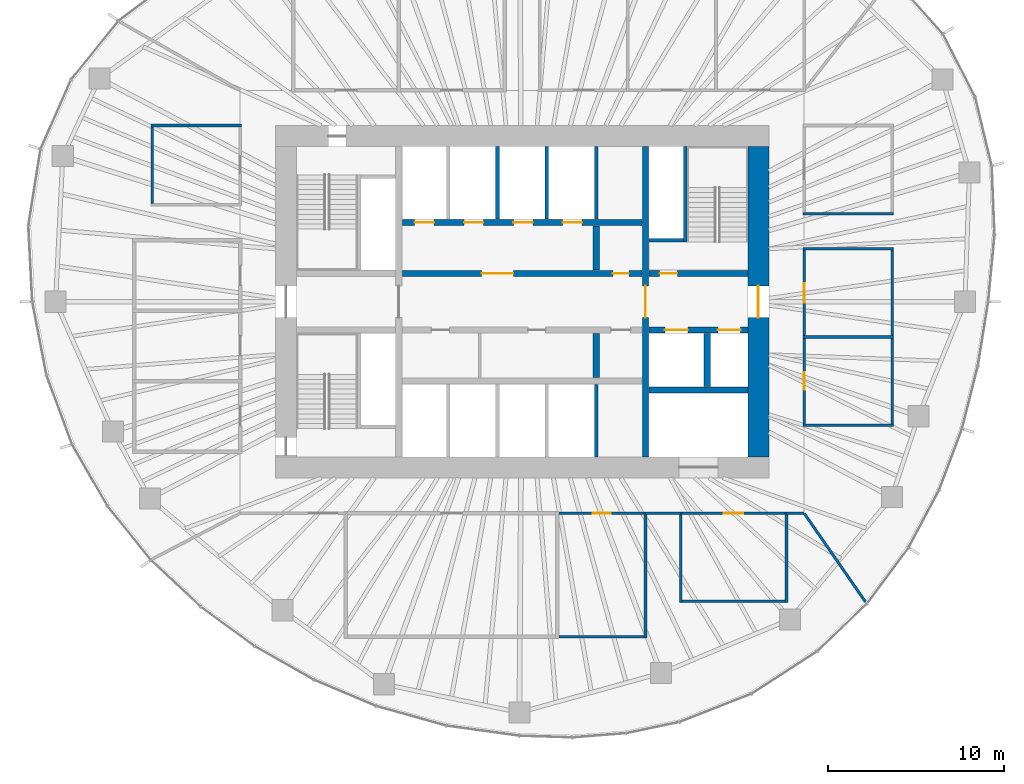
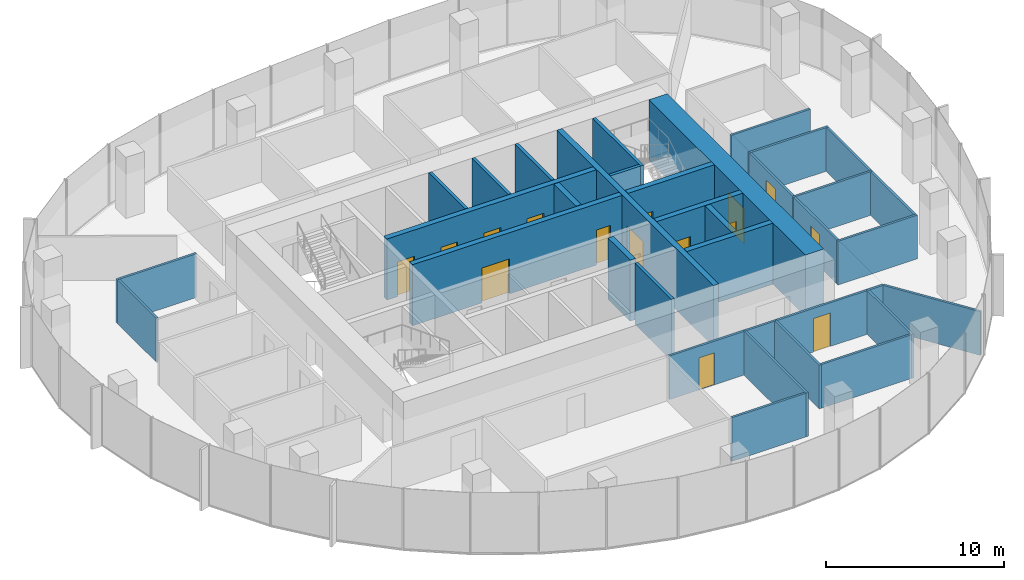
# One storey, part 9 of 11: 36 walls, 15 doors, 15 openings.
"""IFC4 building model written with IfcOpenShell, lengths in metres."""

from ifc_helpers import new_model, si_unit, direction, frame, frame_2d, origin, place, context, subcontext, project, spatial, rectangle, extrude, material, layer, layer_set, type_object, element, fill, save


model = new_model("IFC4")

# Units and contexts
model_context = context("Model", 3, precision=1e-05, world=origin(), true_north=direction((0.0, 1.0)))
body_context = subcontext(model_context, "Body", "Model", "MODEL_VIEW")
ifc_project = project(units=[si_unit("LENGTHUNIT", "METRE"), si_unit("AREAUNIT", "SQUARE_METRE"), si_unit("VOLUMEUNIT", "CUBIC_METRE"), si_unit("PLANEANGLEUNIT", "RADIAN"), si_unit("MASSUNIT", "GRAM", prefix="KILO")], contexts=[model_context])

# Site, building, storey
site_placement = place(None, origin())
site = spatial("IfcSite", under=ifc_project, at=site_placement, CompositionType="ELEMENT")
building_placement = place(site_placement, origin())
building = spatial("IfcBuilding", under=site, at=building_placement, Name="Ghaith Harvest Tower", CompositionType="ELEMENT")
storey_placement = place(building_placement, frame((0.0, 0.0, 245.199951171875)))
storey = spatial("IfcBuildingStorey", under=building, at=storey_placement, Name="L54", CompositionType="ELEMENT", Elevation=245.199951171875)

# Wall, opening, door
ifc_material_1 = material(Name="Concrete C60/75", Category="concrete")
ifc_layer_1 = layer(ifc_material_1, 1.199951171875)
ifc_layer_set_1 = layer_set([ifc_layer_1], Name="CORE WALL CW1200 C60")
wall_type_1 = type_object("IfcWallType", Name="CORE WALL CW1200 C60", PredefinedType="SHEAR", material=ifc_layer_set_1)
wall_1_placement = place(storey_placement, frame((13.39990234375, -8.800048828125, 0.0), z_axis=(0.0, 0.0, 1.0), x_axis=(0.0, 1.0, 0.0)))
wall_1 = element("IfcWall", 1, at=wall_1_placement, inside=storey, type_object=wall_type_1, Name="Core wall E L54", PredefinedType="SHEAR", context=body_context, shape_type="SweptSolid", body=[
    extrude(rectangle(XDim=17.60009765625, YDim=1.199951171875, at=frame_2d((8.800048828125, 0.0))), origin(), (0.0, 0.0, 1.0), 4.199951171875),
])
opening_1_placement = place(wall_1_placement, frame((7.89990234375, 0.0, 0.0)))
opening_1 = element("IfcOpeningElement", 2, at=opening_1_placement, cuts=wall_1, Name="Opening 54-002", PredefinedType="OPENING", context=body_context, shape_type="SweptSolid", body=[
    extrude(rectangle(XDim=1.800048828125, YDim=2.39990234375, at=frame_2d((0.89990234375, 1.199951171875))), frame((0.0, 0.60986328125, 0.0), z_axis=(0.0, -1.0, 0.0), x_axis=(1.0, 0.0, 0.0)), (0.0, 0.0, 1.0), 1.219970703125),
])
ifc_material_2 = material(Name="Steel fire door", Category="steel")
door_type_1 = type_object("IfcDoorType", Name="D4 FD90 PAIR 1800x2400", OperationType="DOUBLE_DOOR_SINGLE_SWING", PredefinedType="DOOR", material=ifc_material_2)
door_1_placement = place(opening_1_placement, origin())
door_1 = element("IfcDoor", 3, at=door_1_placement, inside=storey, type_object=door_type_1, Name="Fire-fighting lobby doors", OperationType="DOUBLE_DOOR_SINGLE_SWING", OverallHeight=2.39990234375, OverallWidth=1.800048828125, PredefinedType="DOOR", context=body_context, shape_type="SweptSolid", body=[
    extrude(rectangle(XDim=1.800048828125, YDim=2.39990234375, at=frame_2d((0.89990234375, 1.199951171875))), frame((0.0, 0.02490234375, 0.0), z_axis=(0.0, -1.0, 0.0), x_axis=(1.0, 0.0, 0.0)), (0.0, 0.0, 1.0), 0.050048828125),
])
fill(opening_1, door_1)

# Walls
ifc_material_3 = material(Name="Concrete blockwork, 2-hour", Category="masonry")
ifc_layer_2 = layer(ifc_material_3, 0.199951171875)
ifc_layer_set_2 = layer_set([ifc_layer_2], Name="LIFT SHAFT WALL 200")
wall_type_2 = type_object("IfcWallType", Name="LIFT SHAFT WALL 200", PredefinedType="PARTITIONING", material=ifc_layer_set_2)
for number, where, z_axis, x_axis, name in (
    (4, (-1.39990234375, 4.699951171875, 0.0), (0.0, 0.0, 1.0), (0.0, 1.0, 0.0), "Lift shaft wall L54"),
    (5, (1.39990234375, 4.699951171875, 0.0), (0.0, 0.0, 1.0), (0.0, 1.0, 0.0), "Lift shaft wall L54"),
    (6, (4.199951171875, 4.699951171875, 0.0), (0.0, 0.0, 1.0), (0.0, 1.0, 0.0), "Lift shaft wall L54"),
    (7, (4.199951171875, -4.699951171875, 0.0), (0.0, 0.0, 1.0), (0.0, -1.0, 0.0), "Lift shaft wall L54"),
):
    element("IfcWall", number, at=place(storey_placement, frame(where, z_axis=z_axis, x_axis=x_axis)), inside=storey, type_object=wall_type_2, Name=name, PredefinedType="PARTITIONING", context=body_context, shape_type="SweptSolid", body=[
        extrude(rectangle(XDim=4.10009765625, YDim=0.199951171875, at=frame_2d((2.050048828125, 0.0))), origin(), (0.0, 0.0, 1.0), 4.199951171875),
    ])
ifc_material_4 = material(Name="Gypsum board on steel studs", Category="steel")
ifc_layer_3 = layer(ifc_material_4, 0.14990234375)
ifc_layer_set_3 = layer_set([ifc_layer_3], Name="PARTITION 150")
wall_type_3 = type_object("IfcWallType", Name="PARTITION 150", PredefinedType="PARTITIONING", material=ifc_layer_set_3)
wall_2_placement = place(storey_placement, frame((7.0, -11.925048828125, 0.0), z_axis=(0.0, 0.0, 1.0), x_axis=(0.0, -1.0, 0.0)))
element("IfcWall", 8, at=wall_2_placement, inside=storey, type_object=wall_type_3, Name="Partition L54 row S1 cross wall 3", PredefinedType="PARTITIONING", context=body_context, shape_type="SweptSolid", body=[
    extrude(rectangle(XDim=7.14990234375, YDim=0.14990234375, at=frame_2d((3.574951171875, 0.0))), origin(), (0.0, 0.0, 1.0), 3.0),
])

# Wall, opening, door
wall_3_placement = place(storey_placement, frame((2.10009765625, -12.0, 0.0), z_axis=(0.0, 0.0, 1.0), x_axis=(1.0, 0.0, 0.0)))
wall_3 = element("IfcWall", 9, at=wall_3_placement, inside=storey, type_object=wall_type_3, Name="Partition L54-02", PredefinedType="PARTITIONING", context=body_context, shape_type="SweptSolid", body=[
    extrude(rectangle(XDim=4.824951171875, YDim=0.14990234375, at=frame_2d((2.41259765625, 0.0))), origin(), (0.0, 0.0, 1.0), 3.0),
])
opening_2_placement = place(wall_3_placement, frame((1.91259765625, 0.0, 0.0)))
opening_2 = element("IfcOpeningElement", 10, at=opening_2_placement, cuts=wall_3, Name="Opening 54-021", PredefinedType="OPENING", context=body_context, shape_type="SweptSolid", body=[
    extrude(rectangle(XDim=1.0, YDim=2.199951171875, at=frame_2d((0.5, 1.10009765625))), frame((0.0, 0.0849609375, 0.0), z_axis=(0.0, -1.0, 0.0), x_axis=(1.0, 0.0, 0.0)), (0.0, 0.0, 1.0), 0.169921875),
])
ifc_material_5 = material(Name="Timber door", Category="wood")
door_type_2 = type_object("IfcDoorType", Name="D1 SINGLE 1000x2200", OperationType="SINGLE_SWING_LEFT", PredefinedType="DOOR", material=ifc_material_5)
door_2_placement = place(opening_2_placement, origin())
door_2 = element("IfcDoor", 11, at=door_2_placement, inside=storey, type_object=door_type_2, Name="Store door", OperationType="SINGLE_SWING_LEFT", OverallHeight=2.199951171875, OverallWidth=1.0, PredefinedType="DOOR", context=body_context, shape_type="SweptSolid", body=[
    extrude(rectangle(XDim=1.0, YDim=2.199951171875, at=frame_2d((0.5, 1.10009765625))), frame((0.0, 0.02490234375, 0.0), z_axis=(0.0, -1.0, 0.0), x_axis=(1.0, 0.0, 0.0)), (0.0, 0.0, 1.0), 0.050048828125),
])
fill(opening_2, door_2)

# Walls
wall_4_placement = place(storey_placement, frame((2.10009765625, -19.0, 0.0), z_axis=(0.0, 0.0, 1.0), x_axis=(1.0, 0.0, 0.0)))
element("IfcWall", 12, at=wall_4_placement, inside=storey, type_object=wall_type_3, Name="Partition L54-02", PredefinedType="PARTITIONING", context=body_context, shape_type="SweptSolid", body=[
    extrude(rectangle(XDim=4.824951171875, YDim=0.14990234375, at=frame_2d((2.41259765625, 0.0))), origin(), (0.0, 0.0, 1.0), 3.0),
])
for number, where, z_axis, x_axis, name in (
    (13, (15.925048828125, -7.0, 0.0), (0.0, 0.0, 1.0), (1.0, 0.0, 0.0), "Partition L54 row E5 cross wall 1"),
    (14, (15.925048828125, -2.0, 0.0), (0.0, 0.0, 1.0), (1.0, 0.0, 0.0), "Partition L54 row E5 cross wall 2"),
    (15, (15.925048828125, 3.0, 0.0), (0.0, 0.0, 1.0), (1.0, 0.0, 0.0), "Partition L54 row E5 cross wall 3"),
):
    element("IfcWall", number, at=place(storey_placement, frame(where, z_axis=z_axis, x_axis=x_axis)), inside=storey, type_object=wall_type_3, Name=name, PredefinedType="PARTITIONING", context=body_context, shape_type="SweptSolid", body=[
        extrude(rectangle(XDim=5.14990234375, YDim=0.14990234375, at=frame_2d((2.574951171875, 0.0))), origin(), (0.0, 0.0, 1.0), 3.0),
    ])

# Wall, opening, door
wall_5_placement = place(storey_placement, frame((16.0, -6.925048828125, 0.0), z_axis=(0.0, 0.0, 1.0), x_axis=(0.0, 1.0, 0.0)))
wall_5 = element("IfcWall", 16, at=wall_5_placement, inside=storey, type_object=wall_type_3, Name="Partition L54-11", PredefinedType="PARTITIONING", context=body_context, shape_type="SweptSolid", body=[
    extrude(rectangle(XDim=4.85009765625, YDim=0.14990234375, at=frame_2d((2.425048828125, 0.0))), origin(), (0.0, 0.0, 1.0), 3.0),
])
opening_3_placement = place(wall_5_placement, frame((1.925048828125, 0.0, 0.0)))
opening_3 = element("IfcOpeningElement", 17, at=opening_3_placement, cuts=wall_5, Name="Opening 54-030", PredefinedType="OPENING", context=body_context, shape_type="SweptSolid", body=[
    extrude(rectangle(XDim=1.0, YDim=2.199951171875, at=frame_2d((0.5, 1.10009765625))), frame((0.0, 0.0849609375, 0.0), z_axis=(0.0, -1.0, 0.0), x_axis=(1.0, 0.0, 0.0)), (0.0, 0.0, 1.0), 0.169921875),
])
door_3_placement = place(opening_3_placement, origin())
door_3 = element("IfcDoor", 18, at=door_3_placement, inside=storey, type_object=door_type_2, Name="Pantry door", OperationType="SINGLE_SWING_LEFT", OverallHeight=2.199951171875, OverallWidth=1.0, PredefinedType="DOOR", context=body_context, shape_type="SweptSolid", body=[
    extrude(rectangle(XDim=1.0, YDim=2.199951171875, at=frame_2d((0.5, 1.10009765625))), frame((0.0, 0.02490234375, 0.0), z_axis=(0.0, -1.0, 0.0), x_axis=(1.0, 0.0, 0.0)), (0.0, 0.0, 1.0), 0.050048828125),
])
fill(opening_3, door_3)

# Wall
wall_6_placement = place(storey_placement, frame((21.0, -6.925048828125, 0.0), z_axis=(0.0, 0.0, 1.0), x_axis=(0.0, 1.0, 0.0)))
element("IfcWall", 19, at=wall_6_placement, inside=storey, type_object=wall_type_3, Name="Partition L54-11", PredefinedType="PARTITIONING", context=body_context, shape_type="SweptSolid", body=[
    extrude(rectangle(XDim=4.85009765625, YDim=0.14990234375, at=frame_2d((2.425048828125, 0.0))), origin(), (0.0, 0.0, 1.0), 3.0),
])

# Wall, opening, door
wall_7_placement = place(storey_placement, frame((16.0, -1.925048828125, 0.0), z_axis=(0.0, 0.0, 1.0), x_axis=(0.0, 1.0, 0.0)))
wall_7 = element("IfcWall", 20, at=wall_7_placement, inside=storey, type_object=wall_type_3, Name="Partition L54-12", PredefinedType="PARTITIONING", context=body_context, shape_type="SweptSolid", body=[
    extrude(rectangle(XDim=4.85009765625, YDim=0.14990234375, at=frame_2d((2.425048828125, 0.0))), origin(), (0.0, 0.0, 1.0), 3.0),
])
opening_4_placement = place(wall_7_placement, frame((1.875, 0.0, 0.0)))
opening_4 = element("IfcOpeningElement", 21, at=opening_4_placement, cuts=wall_7, Name="Opening 54-031", PredefinedType="OPENING", context=body_context, shape_type="SweptSolid", body=[
    extrude(rectangle(XDim=1.10009765625, YDim=2.300048828125, at=frame_2d((0.550048828125, 1.14990234375))), frame((0.0, 0.0849609375, 0.0), z_axis=(0.0, -1.0, 0.0), x_axis=(1.0, 0.0, 0.0)), (0.0, 0.0, 1.0), 0.169921875),
])
ifc_material_6 = material(Name="Timber-framed glazed door", Category="wood")
door_type_3 = type_object("IfcDoorType", Name="D12 GLAZED OFFICE 1100x2300", OperationType="SINGLE_SWING_LEFT", PredefinedType="DOOR", material=ifc_material_6)
door_4_placement = place(opening_4_placement, origin())
door_4 = element("IfcDoor", 22, at=door_4_placement, inside=storey, type_object=door_type_3, Name="Office door", OperationType="SINGLE_SWING_LEFT", OverallHeight=2.300048828125, OverallWidth=1.10009765625, PredefinedType="DOOR", context=body_context, shape_type="SweptSolid", body=[
    extrude(rectangle(XDim=1.10009765625, YDim=2.300048828125, at=frame_2d((0.550048828125, 1.14990234375))), frame((0.0, 0.02490234375, 0.0), z_axis=(0.0, -1.0, 0.0), x_axis=(1.0, 0.0, 0.0)), (0.0, 0.0, 1.0), 0.050048828125),
])
fill(opening_4, door_4)

# Walls
wall_8_placement = place(storey_placement, frame((21.0, -1.925048828125, 0.0), z_axis=(0.0, 0.0, 1.0), x_axis=(0.0, 1.0, 0.0)))
element("IfcWall", 23, at=wall_8_placement, inside=storey, type_object=wall_type_3, Name="Partition L54-12", PredefinedType="PARTITIONING", context=body_context, shape_type="SweptSolid", body=[
    extrude(rectangle(XDim=4.85009765625, YDim=0.14990234375, at=frame_2d((2.425048828125, 0.0))), origin(), (0.0, 0.0, 1.0), 3.0),
])
for number, where, z_axis, x_axis, name in (
    (24, (9.0, -11.925048828125, 0.0), (0.0, 0.0, 1.0), (0.0, -1.0, 0.0), "Partition L54 row S6 cross wall 1"),
    (25, (15.0, -11.925048828125, 0.0), (0.0, 0.0, 1.0), (0.0, -1.0, 0.0), "Partition L54 row S6 cross wall 2"),
):
    element("IfcWall", number, at=place(storey_placement, frame(where, z_axis=z_axis, x_axis=x_axis)), inside=storey, type_object=wall_type_3, Name=name, PredefinedType="PARTITIONING", context=body_context, shape_type="SweptSolid", body=[
        extrude(rectangle(XDim=5.14990234375, YDim=0.14990234375, at=frame_2d((2.574951171875, 0.0))), origin(), (0.0, 0.0, 1.0), 3.0),
    ])

# Wall, opening, door
wall_9_placement = place(storey_placement, frame((9.074951171875, -12.0, 0.0), z_axis=(0.0, 0.0, 1.0), x_axis=(1.0, 0.0, 0.0)))
wall_9 = element("IfcWall", 26, at=wall_9_placement, inside=storey, type_object=wall_type_3, Name="Partition L54-13", PredefinedType="PARTITIONING", context=body_context, shape_type="SweptSolid", body=[
    extrude(rectangle(XDim=5.85009765625, YDim=0.14990234375, at=frame_2d((2.925048828125, 0.0))), origin(), (0.0, 0.0, 1.0), 3.0),
])
opening_5_placement = place(wall_9_placement, frame((2.375, 0.0, 0.0)))
opening_5 = element("IfcOpeningElement", 27, at=opening_5_placement, cuts=wall_9, Name="Opening 54-032", PredefinedType="OPENING", context=body_context, shape_type="SweptSolid", body=[
    extrude(rectangle(XDim=1.10009765625, YDim=2.300048828125, at=frame_2d((0.550048828125, 1.14990234375))), frame((0.0, 0.0849609375, 0.0), z_axis=(0.0, -1.0, 0.0), x_axis=(1.0, 0.0, 0.0)), (0.0, 0.0, 1.0), 0.169921875),
])
door_5_placement = place(opening_5_placement, origin())
door_5 = element("IfcDoor", 28, at=door_5_placement, inside=storey, type_object=door_type_3, Name="Office door", OperationType="SINGLE_SWING_LEFT", OverallHeight=2.300048828125, OverallWidth=1.10009765625, PredefinedType="DOOR", context=body_context, shape_type="SweptSolid", body=[
    extrude(rectangle(XDim=1.10009765625, YDim=2.300048828125, at=frame_2d((0.550048828125, 1.14990234375))), frame((0.0, 0.02490234375, 0.0), z_axis=(0.0, -1.0, 0.0), x_axis=(1.0, 0.0, 0.0)), (0.0, 0.0, 1.0), 0.050048828125),
])
fill(opening_5, door_5)

# Walls
wall_10_placement = place(storey_placement, frame((9.074951171875, -17.0, 0.0), z_axis=(0.0, 0.0, 1.0), x_axis=(1.0, 0.0, 0.0)))
element("IfcWall", 29, at=wall_10_placement, inside=storey, type_object=wall_type_3, Name="Partition L54-13", PredefinedType="PARTITIONING", context=body_context, shape_type="SweptSolid", body=[
    extrude(rectangle(XDim=5.85009765625, YDim=0.14990234375, at=frame_2d((2.925048828125, 0.0))), origin(), (0.0, 0.0, 1.0), 3.0),
])
for number, where, z_axis, x_axis, name in (
    (30, (15.925048828125, 5.0, 0.0), (0.0, 0.0, 1.0), (1.0, 0.0, 0.0), "Partition L54 row E7 cross wall 1"),
    (31, (-15.925048828125, 10.0, 0.0), (0.0, 0.0, 1.0), (-1.0, 0.0, 0.0), "Partition L54 row W8 cross wall 2"),
):
    element("IfcWall", number, at=place(storey_placement, frame(where, z_axis=z_axis, x_axis=x_axis)), inside=storey, type_object=wall_type_3, Name=name, PredefinedType="PARTITIONING", context=body_context, shape_type="SweptSolid", body=[
        extrude(rectangle(XDim=5.14990234375, YDim=0.14990234375, at=frame_2d((2.574951171875, 0.0))), origin(), (0.0, 0.0, 1.0), 3.0),
    ])
wall_11_placement = place(storey_placement, frame((-21.0, 5.574951171875, 0.0), z_axis=(0.0, 0.0, 1.0), x_axis=(0.0, 1.0, 0.0)))
element("IfcWall", 32, at=wall_11_placement, inside=storey, type_object=wall_type_3, Name="Partition L54-15", PredefinedType="PARTITIONING", context=body_context, shape_type="SweptSolid", body=[
    extrude(rectangle(XDim=4.35009765625, YDim=0.14990234375, at=frame_2d((2.175048828125, 0.0))), origin(), (0.0, 0.0, 1.0), 3.0),
])
wall_12_placement = place(storey_placement, frame((16.011474609375, -12.016357421875, 0.0), z_axis=(0.0, 0.0, 1.0), x_axis=(0.568863489071, -0.822431961199, 0.0)))
element("IfcWall", 33, at=wall_12_placement, inside=storey, type_object=wall_type_3, Name="Partition L54 zone division", PredefinedType="PARTITIONING", context=body_context, shape_type="SweptSolid", body=[
    extrude(rectangle(XDim=6.0830078125, YDim=0.14990234375, at=frame_2d((3.04150390625, 0.0))), origin(), (0.0, 0.0, 1.0), 3.0),
])
wall_13_placement = place(storey_placement, frame((7.0, -12.0, 0.0), z_axis=(0.0, 0.0, 1.0), x_axis=(1.0, 0.0, 0.0)))
element("IfcWall", 34, at=wall_13_placement, inside=storey, type_object=wall_type_3, Name="Partition L54 zone enclosure", PredefinedType="PARTITIONING", context=body_context, shape_type="SweptSolid", body=[
    extrude(rectangle(XDim=2.0, YDim=0.14990234375, at=frame_2d((1.0, 0.0))), origin(), (0.0, 0.0, 1.0), 3.0),
])
wall_14_placement = place(storey_placement, frame((15.0, -12.0, 0.0), z_axis=(0.0, 0.0, 1.0), x_axis=(1.0, 0.0, 0.0)))
element("IfcWall", 35, at=wall_14_placement, inside=storey, type_object=wall_type_3, Name="Partition L54 zone enclosure", PredefinedType="PARTITIONING", context=body_context, shape_type="SweptSolid", body=[
    extrude(rectangle(XDim=1.0, YDim=0.14990234375, at=frame_2d((0.5, 0.0))), origin(), (0.0, 0.0, 1.0), 3.0),
])

# Wall, opening, door
ifc_material_7 = material(Name="Concrete C60/75", Category="concrete")
ifc_layer_4 = layer(ifc_material_7, 0.35009765625)
ifc_layer_set_4 = layer_set([ifc_layer_4], Name="SHAFT WALL 350")
wall_type_4 = type_object("IfcWallType", Name="SHAFT WALL 350", PredefinedType="SHEAR", material=ifc_layer_set_4)
wall_15_placement = place(storey_placement, frame((7.0, -8.800048828125, 0.0), z_axis=(0.0, 0.0, 1.0), x_axis=(0.0, 1.0, 0.0)))
wall_15 = element("IfcWall", 36, at=wall_15_placement, inside=storey, type_object=wall_type_4, Name="Shaft wall W7E L54", PredefinedType="SHEAR", context=body_context, shape_type="SweptSolid", body=[
    extrude(rectangle(XDim=17.60009765625, YDim=0.35009765625, at=frame_2d((8.800048828125, 0.0))), origin(), (0.0, 0.0, 1.0), 4.199951171875),
])
opening_6_placement = place(wall_15_placement, frame((7.89990234375, 0.0, 0.0)))
opening_6 = element("IfcOpeningElement", 37, at=opening_6_placement, cuts=wall_15, Name="Opening 54-004", PredefinedType="OPENING", context=body_context, shape_type="SweptSolid", body=[
    extrude(rectangle(XDim=1.800048828125, YDim=2.39990234375, at=frame_2d((0.89990234375, 1.199951171875))), frame((0.0, 0.18505859375, 0.0), z_axis=(0.0, -1.0, 0.0), x_axis=(1.0, 0.0, 0.0)), (0.0, 0.0, 1.0), 0.3701171875),
])
door_6_placement = place(opening_6_placement, origin())
door_6 = element("IfcDoor", 38, at=door_6_placement, inside=storey, type_object=door_type_1, Name="Lift lobby doors, east", OperationType="DOUBLE_DOOR_SINGLE_SWING", OverallHeight=2.39990234375, OverallWidth=1.800048828125, PredefinedType="DOOR", context=body_context, shape_type="SweptSolid", body=[
    extrude(rectangle(XDim=1.800048828125, YDim=2.39990234375, at=frame_2d((0.89990234375, 1.199951171875))), frame((0.0, 0.02490234375, 0.0), z_axis=(0.0, -1.0, 0.0), x_axis=(1.0, 0.0, 0.0)), (0.0, 0.0, 1.0), 0.050048828125),
])
fill(opening_6, door_6)

# Wall, openings, doors
wall_16_placement = place(storey_placement, frame((-6.800048828125, 1.60009765625, 0.0), z_axis=(0.0, 0.0, 1.0), x_axis=(1.0, 0.0, 0.0)))
wall_16 = element("IfcWall", 39, at=wall_16_placement, inside=storey, type_object=wall_type_4, Name="Shaft wall LN L54", PredefinedType="SHEAR", context=body_context, shape_type="SweptSolid", body=[
    extrude(rectangle(XDim=13.60009765625, YDim=0.35009765625, at=frame_2d((6.800048828125, 0.0))), origin(), (0.0, 0.0, 1.0), 4.199951171875),
])
opening_7_placement = place(wall_16_placement, frame((11.949951171875, 0.0, 0.0)))
opening_7 = element("IfcOpeningElement", 40, at=opening_7_placement, cuts=wall_16, Name="Opening 54-010", PredefinedType="OPENING", context=body_context, shape_type="SweptSolid", body=[
    extrude(rectangle(XDim=0.89990234375, YDim=2.39990234375, at=frame_2d((0.449951171875, 1.199951171875))), frame((0.0, 0.18505859375, 0.0), z_axis=(0.0, -1.0, 0.0), x_axis=(1.0, 0.0, 0.0)), (0.0, 0.0, 1.0), 0.3701171875),
])
opening_8_placement = place(wall_16_placement, frame((4.5, 0.0, 0.0)))
opening_8 = element("IfcOpeningElement", 41, at=opening_8_placement, cuts=wall_16, Name="Opening 54-012", PredefinedType="OPENING", context=body_context, shape_type="SweptSolid", body=[
    extrude(rectangle(XDim=1.800048828125, YDim=2.39990234375, at=frame_2d((0.89990234375, 1.199951171875))), frame((0.0, 0.18505859375, 0.0), z_axis=(0.0, -1.0, 0.0), x_axis=(1.0, 0.0, 0.0)), (0.0, 0.0, 1.0), 0.3701171875),
])
door_7_placement = place(opening_8_placement, origin())
door_7 = element("IfcDoor", 42, at=door_7_placement, inside=storey, type_object=door_type_1, Name="Lift lobby doors, high-rise bank", OperationType="DOUBLE_DOOR_SINGLE_SWING", OverallHeight=2.39990234375, OverallWidth=1.800048828125, PredefinedType="DOOR", context=body_context, shape_type="SweptSolid", body=[
    extrude(rectangle(XDim=1.800048828125, YDim=2.39990234375, at=frame_2d((0.89990234375, 1.199951171875))), frame((0.0, 0.02490234375, 0.0), z_axis=(0.0, -1.0, 0.0), x_axis=(1.0, 0.0, 0.0)), (0.0, 0.0, 1.0), 0.050048828125),
])
fill(opening_8, door_7)
ifc_material_8 = material(Name="Steel fire door", Category="steel")
door_type_4 = type_object("IfcDoorType", Name="D5 FD90 900x2400", OperationType="SINGLE_SWING_LEFT", PredefinedType="DOOR", material=ifc_material_8)
door_8_placement = place(opening_7_placement, origin())
door_8 = element("IfcDoor", 43, at=door_8_placement, inside=storey, type_object=door_type_4, Name="Cleaner's store door", OperationType="SINGLE_SWING_RIGHT", OverallHeight=2.39990234375, OverallWidth=0.89990234375, PredefinedType="DOOR", context=body_context, shape_type="SweptSolid", body=[
    extrude(rectangle(XDim=0.89990234375, YDim=2.39990234375, at=frame_2d((0.449951171875, 1.199951171875))), frame((0.0, 0.02490234375, 0.0), z_axis=(0.0, -1.0, 0.0), x_axis=(1.0, 0.0, 0.0)), (0.0, 0.0, 1.0), 0.050048828125),
])
fill(opening_7, door_8)

wall_17_placement = place(storey_placement, frame((-6.800048828125, 4.5, 0.0), z_axis=(0.0, 0.0, 1.0), x_axis=(1.0, 0.0, 0.0)))
wall_17 = element("IfcWall", 44, at=wall_17_placement, inside=storey, type_object=wall_type_4, Name="Shaft wall BN L54", PredefinedType="SHEAR", context=body_context, shape_type="SweptSolid", body=[
    extrude(rectangle(XDim=13.60009765625, YDim=0.35009765625, at=frame_2d((6.800048828125, 0.0))), origin(), (0.0, 0.0, 1.0), 4.199951171875),
])
opening_9_placement = place(wall_17_placement, frame((0.699951171875, 0.0, 0.0)))
opening_9 = element("IfcOpeningElement", 45, at=opening_9_placement, cuts=wall_17, Name="Opening 54-013", PredefinedType="OPENING", context=body_context, shape_type="SweptSolid", body=[
    extrude(rectangle(XDim=1.10009765625, YDim=2.39990234375, at=frame_2d((0.550048828125, 1.199951171875))), frame((0.0, 0.18505859375, 0.0), z_axis=(0.0, -1.0, 0.0), x_axis=(1.0, 0.0, 0.0)), (0.0, 0.0, 1.0), 0.3701171875),
])
opening_10_placement = place(wall_17_placement, frame((3.5, 0.0, 0.0)))
opening_10 = element("IfcOpeningElement", 46, at=opening_10_placement, cuts=wall_17, Name="Opening 54-014", PredefinedType="OPENING", context=body_context, shape_type="SweptSolid", body=[
    extrude(rectangle(XDim=1.10009765625, YDim=2.39990234375, at=frame_2d((0.550048828125, 1.199951171875))), frame((0.0, 0.18505859375, 0.0), z_axis=(0.0, -1.0, 0.0), x_axis=(1.0, 0.0, 0.0)), (0.0, 0.0, 1.0), 0.3701171875),
])
opening_11_placement = place(wall_17_placement, frame((6.300048828125, 0.0, 0.0)))
opening_11 = element("IfcOpeningElement", 47, at=opening_11_placement, cuts=wall_17, Name="Opening 54-015", PredefinedType="OPENING", context=body_context, shape_type="SweptSolid", body=[
    extrude(rectangle(XDim=1.10009765625, YDim=2.39990234375, at=frame_2d((0.550048828125, 1.199951171875))), frame((0.0, 0.18505859375, 0.0), z_axis=(0.0, -1.0, 0.0), x_axis=(1.0, 0.0, 0.0)), (0.0, 0.0, 1.0), 0.3701171875),
])
opening_12_placement = place(wall_17_placement, frame((9.10009765625, 0.0, 0.0)))
opening_12 = element("IfcOpeningElement", 48, at=opening_12_placement, cuts=wall_17, Name="Opening 54-016", PredefinedType="OPENING", context=body_context, shape_type="SweptSolid", body=[
    extrude(rectangle(XDim=1.10009765625, YDim=2.39990234375, at=frame_2d((0.550048828125, 1.199951171875))), frame((0.0, 0.18505859375, 0.0), z_axis=(0.0, -1.0, 0.0), x_axis=(1.0, 0.0, 0.0)), (0.0, 0.0, 1.0), 0.3701171875),
])
ifc_material_9 = material(Name="Steel fire door", Category="steel")
door_type_5 = type_object("IfcDoorType", Name="LD1 LANDING 1100x2400", OperationType="DOUBLE_DOOR_SLIDING", PredefinedType="DOOR", material=ifc_material_9)
door_9_placement = place(opening_9_placement, origin())
door_9 = element("IfcDoor", 49, at=door_9_placement, inside=storey, type_object=door_type_5, Name="Landing door, lift HR1", OperationType="DOUBLE_DOOR_SLIDING", OverallHeight=2.39990234375, OverallWidth=1.10009765625, PredefinedType="DOOR", context=body_context, shape_type="SweptSolid", body=[
    extrude(rectangle(XDim=1.10009765625, YDim=2.39990234375, at=frame_2d((0.550048828125, 1.199951171875))), frame((0.0, 0.02490234375, 0.0), z_axis=(0.0, -1.0, 0.0), x_axis=(1.0, 0.0, 0.0)), (0.0, 0.0, 1.0), 0.050048828125),
])
fill(opening_9, door_9)
door_10_placement = place(opening_10_placement, origin())
door_10 = element("IfcDoor", 50, at=door_10_placement, inside=storey, type_object=door_type_5, Name="Landing door, lift HR2", OperationType="DOUBLE_DOOR_SLIDING", OverallHeight=2.39990234375, OverallWidth=1.10009765625, PredefinedType="DOOR", context=body_context, shape_type="SweptSolid", body=[
    extrude(rectangle(XDim=1.10009765625, YDim=2.39990234375, at=frame_2d((0.550048828125, 1.199951171875))), frame((0.0, 0.02490234375, 0.0), z_axis=(0.0, -1.0, 0.0), x_axis=(1.0, 0.0, 0.0)), (0.0, 0.0, 1.0), 0.050048828125),
])
fill(opening_10, door_10)
door_11_placement = place(opening_11_placement, origin())
door_11 = element("IfcDoor", 51, at=door_11_placement, inside=storey, type_object=door_type_5, Name="Landing door, lift HR3", OperationType="DOUBLE_DOOR_SLIDING", OverallHeight=2.39990234375, OverallWidth=1.10009765625, PredefinedType="DOOR", context=body_context, shape_type="SweptSolid", body=[
    extrude(rectangle(XDim=1.10009765625, YDim=2.39990234375, at=frame_2d((0.550048828125, 1.199951171875))), frame((0.0, 0.02490234375, 0.0), z_axis=(0.0, -1.0, 0.0), x_axis=(1.0, 0.0, 0.0)), (0.0, 0.0, 1.0), 0.050048828125),
])
fill(opening_11, door_11)
door_12_placement = place(opening_12_placement, origin())
door_12 = element("IfcDoor", 52, at=door_12_placement, inside=storey, type_object=door_type_5, Name="Landing door, lift HR4", OperationType="DOUBLE_DOOR_SLIDING", OverallHeight=2.39990234375, OverallWidth=1.10009765625, PredefinedType="DOOR", context=body_context, shape_type="SweptSolid", body=[
    extrude(rectangle(XDim=1.10009765625, YDim=2.39990234375, at=frame_2d((0.550048828125, 1.199951171875))), frame((0.0, 0.02490234375, 0.0), z_axis=(0.0, -1.0, 0.0), x_axis=(1.0, 0.0, 0.0)), (0.0, 0.0, 1.0), 0.050048828125),
])
fill(opening_12, door_12)

# Wall, opening, door
wall_18_placement = place(storey_placement, frame((7.199951171875, 1.60009765625, 0.0), z_axis=(0.0, 0.0, 1.0), x_axis=(1.0, 0.0, 0.0)))
wall_18 = element("IfcWall", 53, at=wall_18_placement, inside=storey, type_object=wall_type_4, Name="Shaft wall EN L54", PredefinedType="SHEAR", context=body_context, shape_type="SweptSolid", body=[
    extrude(rectangle(XDim=5.60009765625, YDim=0.35009765625, at=frame_2d((2.800048828125, 0.0))), origin(), (0.0, 0.0, 1.0), 4.199951171875),
])
opening_13_placement = place(wall_18_placement, frame((0.60009765625, 0.0, 0.0)))
opening_13 = element("IfcOpeningElement", 54, at=opening_13_placement, cuts=wall_18, Name="Opening 54-007", PredefinedType="OPENING", context=body_context, shape_type="SweptSolid", body=[
    extrude(rectangle(XDim=1.0, YDim=2.39990234375, at=frame_2d((0.5, 1.199951171875))), frame((0.0, 0.18505859375, 0.0), z_axis=(0.0, -1.0, 0.0), x_axis=(1.0, 0.0, 0.0)), (0.0, 0.0, 1.0), 0.3701171875),
])
ifc_material_10 = material(Name="Steel fire door", Category="steel")
door_type_6 = type_object("IfcDoorType", Name="D3 FD90 1000x2400", OperationType="SINGLE_SWING_LEFT", PredefinedType="DOOR", material=ifc_material_10)
door_13_placement = place(opening_13_placement, origin())
door_13 = element("IfcDoor", 55, at=door_13_placement, inside=storey, type_object=door_type_6, Name="Stair ST2 door", OperationType="SINGLE_SWING_LEFT", OverallHeight=2.39990234375, OverallWidth=1.0, PredefinedType="DOOR", context=body_context, shape_type="SweptSolid", body=[
    extrude(rectangle(XDim=1.0, YDim=2.39990234375, at=frame_2d((0.5, 1.199951171875))), frame((0.0, 0.02490234375, 0.0), z_axis=(0.0, -1.0, 0.0), x_axis=(1.0, 0.0, 0.0)), (0.0, 0.0, 1.0), 0.050048828125),
])
fill(opening_13, door_13)

# Wall, openings, doors
wall_19_placement = place(storey_placement, frame((7.199951171875, -1.60009765625, 0.0), z_axis=(0.0, 0.0, 1.0), x_axis=(1.0, 0.0, 0.0)))
wall_19 = element("IfcWall", 56, at=wall_19_placement, inside=storey, type_object=wall_type_4, Name="Shaft wall ES L54", PredefinedType="SHEAR", context=body_context, shape_type="SweptSolid", body=[
    extrude(rectangle(XDim=5.60009765625, YDim=0.35009765625, at=frame_2d((2.800048828125, 0.0))), origin(), (0.0, 0.0, 1.0), 4.199951171875),
])
opening_14_placement = place(wall_19_placement, frame((0.89990234375, 0.0, 0.0)))
opening_14 = element("IfcOpeningElement", 57, at=opening_14_placement, cuts=wall_19, Name="Opening 54-017", PredefinedType="OPENING", context=body_context, shape_type="SweptSolid", body=[
    extrude(rectangle(XDim=1.300048828125, YDim=2.39990234375, at=frame_2d((0.64990234375, 1.199951171875))), frame((0.0, 0.18505859375, 0.0), z_axis=(0.0, -1.0, 0.0), x_axis=(1.0, 0.0, 0.0)), (0.0, 0.0, 1.0), 0.3701171875),
])
opening_15_placement = place(wall_19_placement, frame((3.89990234375, 0.0, 0.0)))
opening_15 = element("IfcOpeningElement", 58, at=opening_15_placement, cuts=wall_19, Name="Opening 54-018", PredefinedType="OPENING", context=body_context, shape_type="SweptSolid", body=[
    extrude(rectangle(XDim=1.300048828125, YDim=2.39990234375, at=frame_2d((0.64990234375, 1.199951171875))), frame((0.0, 0.18505859375, 0.0), z_axis=(0.0, -1.0, 0.0), x_axis=(1.0, 0.0, 0.0)), (0.0, 0.0, 1.0), 0.3701171875),
])
ifc_material_11 = material(Name="Steel fire door", Category="steel")
door_type_7 = type_object("IfcDoorType", Name="LD2 LANDING 1300x2400", OperationType="DOUBLE_DOOR_SLIDING", PredefinedType="DOOR", material=ifc_material_11)
door_14_placement = place(opening_14_placement, origin())
door_14 = element("IfcDoor", 59, at=door_14_placement, inside=storey, type_object=door_type_7, Name="Landing door, fire service lift FL1", OperationType="DOUBLE_DOOR_SLIDING", OverallHeight=2.39990234375, OverallWidth=1.300048828125, PredefinedType="DOOR", context=body_context, shape_type="SweptSolid", body=[
    extrude(rectangle(XDim=1.300048828125, YDim=2.39990234375, at=frame_2d((0.64990234375, 1.199951171875))), frame((0.0, 0.02490234375, 0.0), z_axis=(0.0, -1.0, 0.0), x_axis=(1.0, 0.0, 0.0)), (0.0, 0.0, 1.0), 0.050048828125),
])
fill(opening_14, door_14)
door_15_placement = place(opening_15_placement, origin())
door_15 = element("IfcDoor", 60, at=door_15_placement, inside=storey, type_object=door_type_7, Name="Landing door, fire service lift FL2", OperationType="DOUBLE_DOOR_SLIDING", OverallHeight=2.39990234375, OverallWidth=1.300048828125, PredefinedType="DOOR", context=body_context, shape_type="SweptSolid", body=[
    extrude(rectangle(XDim=1.300048828125, YDim=2.39990234375, at=frame_2d((0.64990234375, 1.199951171875))), frame((0.0, 0.02490234375, 0.0), z_axis=(0.0, -1.0, 0.0), x_axis=(1.0, 0.0, 0.0)), (0.0, 0.0, 1.0), 0.050048828125),
])
fill(opening_15, door_15)

# Walls
wall_20_placement = place(storey_placement, frame((10.5, -4.800048828125, 0.0), z_axis=(0.0, 0.0, 1.0), x_axis=(0.0, 1.0, 0.0)))
element("IfcWall", 61, at=wall_20_placement, inside=storey, type_object=wall_type_4, Name="Shaft wall FLD L54", PredefinedType="SHEAR", context=body_context, shape_type="SweptSolid", body=[
    extrude(rectangle(XDim=3.0, YDim=0.35009765625, at=frame_2d((1.5, 0.0))), origin(), (0.0, 0.0, 1.0), 4.199951171875),
])
wall_21_placement = place(storey_placement, frame((7.199951171875, -5.0, 0.0), z_axis=(0.0, 0.0, 1.0), x_axis=(1.0, 0.0, 0.0)))
element("IfcWall", 62, at=wall_21_placement, inside=storey, type_object=wall_type_4, Name="Shaft wall FLB L54", PredefinedType="SHEAR", context=body_context, shape_type="SweptSolid", body=[
    extrude(rectangle(XDim=5.60009765625, YDim=0.35009765625, at=frame_2d((2.800048828125, 0.0))), origin(), (0.0, 0.0, 1.0), 4.199951171875),
])
for number, where, z_axis, x_axis, name in (
    (63, (4.199951171875, 1.800048828125, 0.0), (0.0, 0.0, 1.0), (0.0, 1.0, 0.0), "Shaft wall DN4 L54"),
    (64, (4.199951171875, -4.300048828125, 0.0), (0.0, 0.0, 1.0), (0.0, 1.0, 0.0), "Shaft wall DS4 L54"),
):
    element("IfcWall", number, at=place(storey_placement, frame(where, z_axis=z_axis, x_axis=x_axis)), inside=storey, type_object=wall_type_4, Name=name, PredefinedType="SHEAR", context=body_context, shape_type="SweptSolid", body=[
        extrude(rectangle(XDim=2.5, YDim=0.35009765625, at=frame_2d((1.25, 0.0))), origin(), (0.0, 0.0, 1.0), 4.199951171875),
    ])
ifc_material_12 = material(Name="Concrete C40/50", Category="concrete")
ifc_layer_5 = layer(ifc_material_12, 0.199951171875)
ifc_layer_set_5 = layer_set([ifc_layer_5], Name="STAIR SPINE WALL RC200")
wall_type_5 = type_object("IfcWallType", Name="STAIR SPINE WALL RC200", PredefinedType="SOLIDWALL", material=ifc_layer_set_5)
wall_22_placement = place(storey_placement, frame((9.25, 3.39990234375, 0.0), z_axis=(0.0, 0.0, 1.0), x_axis=(0.0, 1.0, 0.0)))
element("IfcWall", 65, at=wall_22_placement, inside=storey, type_object=wall_type_5, Name="Stair ST2 spine wall L54", PredefinedType="SOLIDWALL", context=body_context, shape_type="SweptSolid", body=[
    extrude(rectangle(XDim=5.400146484375, YDim=0.199951171875, at=frame_2d((2.7001953125, 0.0))), origin(), (0.0, 0.0, 1.0), 4.199951171875),
])
wall_23_placement = place(storey_placement, frame((9.14990234375, 3.5, 0.0), z_axis=(0.0, 0.0, 1.0), x_axis=(-1.0, 0.0, 0.0)))
element("IfcWall", 66, at=wall_23_placement, inside=storey, type_object=wall_type_5, Name="Stair ST2 spine wall return L54", PredefinedType="SOLIDWALL", context=body_context, shape_type="SweptSolid", body=[
    extrude(rectangle(XDim=1.949951171875, YDim=0.199951171875, at=frame_2d((0.97509765625, 0.0))), origin(), (0.0, 0.0, 1.0), 4.199951171875),
])

save(model, "model.ifc")
